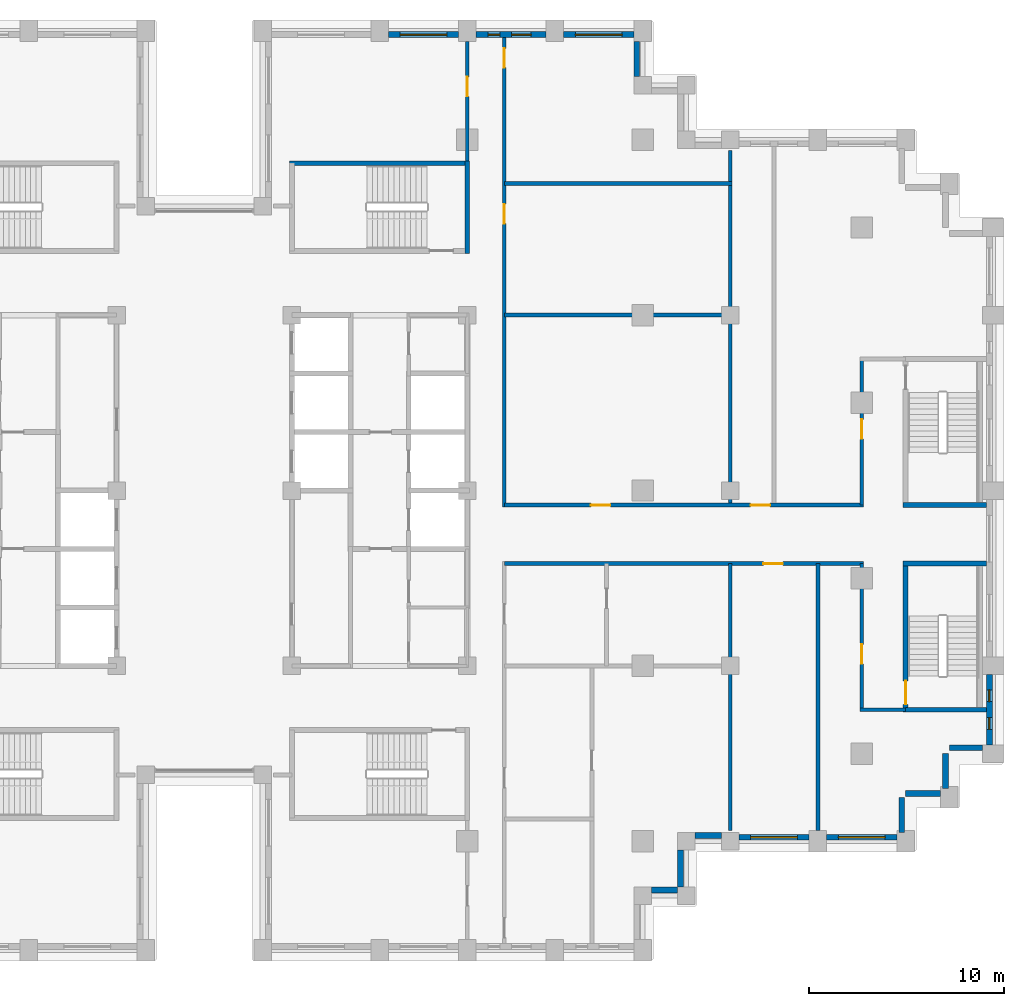
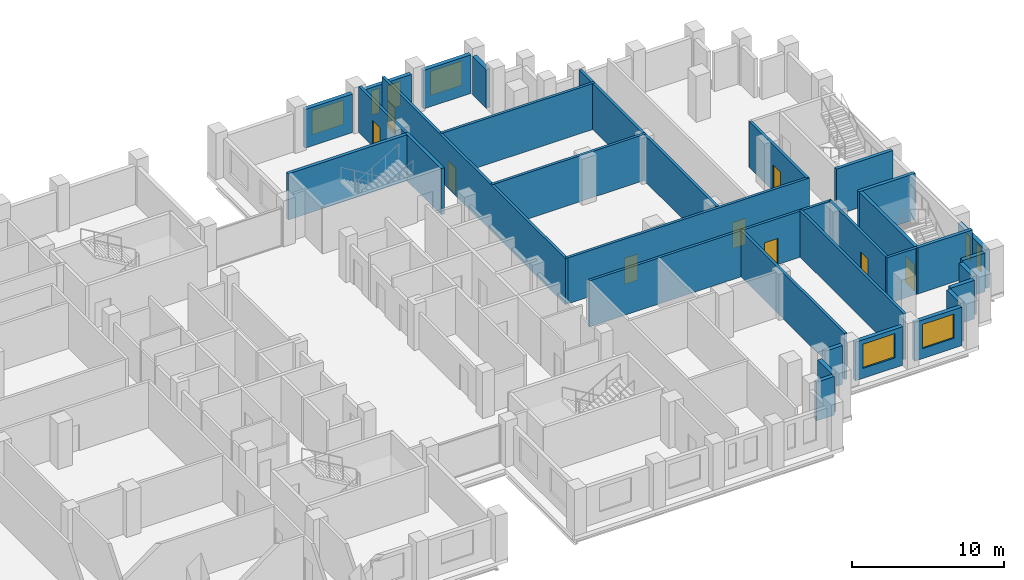
# One storey, part 11 of 15: 32 walls, 9 doors, 8 windows, 17 openings.
"""IFC4 building model written with IfcOpenShell, lengths in metres."""

from ifc_helpers import new_model, si_unit, direction, frame, frame_2d, origin, place, context, subcontext, project, spatial, rectangle, extrude, material, layer, layer_set, type_object, element, fill, save


model = new_model("IFC4")

# Units and contexts
model_context = context("Model", 3, precision=1e-05, world=origin(), true_north=direction((0.0, 1.0)))
body_context = subcontext(model_context, "Body", "Model", "MODEL_VIEW")
ifc_project = project(units=[si_unit("LENGTHUNIT", "METRE"), si_unit("AREAUNIT", "SQUARE_METRE"), si_unit("VOLUMEUNIT", "CUBIC_METRE"), si_unit("PLANEANGLEUNIT", "RADIAN"), si_unit("MASSUNIT", "GRAM", prefix="KILO")], contexts=[model_context])

# Site, building, storey
site_placement = place(None, origin())
site = spatial("IfcSite", under=ifc_project, at=site_placement, CompositionType="ELEMENT")
building_placement = place(site_placement, origin())
building = spatial("IfcBuilding", under=site, at=building_placement, Name="Corbelhall Arena Tower", CompositionType="ELEMENT")
storey_placement = place(building_placement, frame((0.0, 0.0, 142.0)))
storey = spatial("IfcBuildingStorey", under=building, at=storey_placement, Name="L27", CompositionType="ELEMENT", Elevation=142.0)

# Walls
ifc_material_1 = material(Name="Precast concrete C40/50 with granite facing", Category="masonry")
ifc_layer_1 = layer(ifc_material_1, 0.300048828125)
ifc_layer_set_1 = layer_set([ifc_layer_1], Name="EV-IW1 Infill panel 300")
wall_type_1 = type_object("IfcWallType", Name="EV-IW1 Infill panel 300", PredefinedType="SOLIDWALL", material=ifc_layer_set_1)
for number, where, z_axis, x_axis, name in (
    (1, (35.800048828125, -17.550048828125, 0.0), (0.0, 0.0, 1.0), (0.0, 1.0, 0.0), "Infill panel IW1"),
    (2, (37.800048828125, -15.550048828125, 0.0), (0.0, 0.0, 1.0), (-1.0, 0.0, 0.0), "Infill panel IW1"),
    (3, (38.050048828125, -15.300048828125, 0.0), (0.0, 0.0, 1.0), (0.0, 1.0, 0.0), "Infill panel IW1"),
):
    element("IfcWall", number, at=place(storey_placement, frame(where, z_axis=z_axis, x_axis=x_axis)), inside=storey, type_object=wall_type_1, Name=name, PredefinedType="SOLIDWALL", context=body_context, shape_type="SweptSolid", body=[
        extrude(rectangle(XDim=1.800048828125, YDim=0.300048828125, at=frame_2d((0.89990234375, 0.0))), origin(), (0.0, 0.0, 1.0), 3.10009765625),
    ])
wall_1_placement = place(storey_placement, frame((39.949951171875, -13.199951171875, 0.0), z_axis=(0.0, 0.0, 1.0), x_axis=(-1.0, 0.0, 0.0)))
element("IfcWall", 4, at=wall_1_placement, inside=storey, type_object=wall_type_1, Name="Infill panel IW1", PredefinedType="SOLIDWALL", context=body_context, shape_type="SweptSolid", body=[
    extrude(rectangle(XDim=1.699951171875, YDim=0.300048828125, at=frame_2d((0.85009765625, 0.0))), origin(), (0.0, 0.0, 1.0), 3.10009765625),
])
wall_2_placement = place(storey_placement, frame((22.949951171875, -20.5, 0.0), z_axis=(0.0, 0.0, 1.0), x_axis=(1.0, 0.0, 0.0)))
element("IfcWall", 5, at=wall_2_placement, inside=storey, type_object=wall_type_1, Name="Infill panel IW1", PredefinedType="SOLIDWALL", context=body_context, shape_type="SweptSolid", body=[
    extrude(rectangle(XDim=1.35009765625, YDim=0.300048828125, at=frame_2d((0.675048828125, 0.0))), origin(), (0.0, 0.0, 1.0), 3.10009765625),
])
wall_3_placement = place(storey_placement, frame((24.449951171875, -20.35009765625, 0.0), z_axis=(0.0, 0.0, 1.0), x_axis=(0.0, 1.0, 0.0)))
element("IfcWall", 6, at=wall_3_placement, inside=storey, type_object=wall_type_1, Name="Infill panel IW1", PredefinedType="SOLIDWALL", context=body_context, shape_type="SweptSolid", body=[
    extrude(rectangle(XDim=1.900146484375, YDim=0.300048828125, at=frame_2d((0.9501953125, 0.0))), origin(), (0.0, 0.0, 1.0), 3.10009765625),
])
wall_4_placement = place(storey_placement, frame((25.199951171875, -17.699951171875, 0.0), z_axis=(0.0, 0.0, 1.0), x_axis=(1.0, 0.0, 0.0)))
element("IfcWall", 7, at=wall_4_placement, inside=storey, type_object=wall_type_1, Name="Infill panel IW1", PredefinedType="SOLIDWALL", context=body_context, shape_type="SweptSolid", body=[
    extrude(rectangle(XDim=1.35009765625, YDim=0.300048828125, at=frame_2d((0.675048828125, 0.0))), origin(), (0.0, 0.0, 1.0), 3.10009765625),
])

# Wall, opening, window
wall_5_placement = place(storey_placement, frame((27.449951171875, -17.800048828125, 0.0), z_axis=(0.0, 0.0, 1.0), x_axis=(1.0, 0.0, 0.0)))
wall_5 = element("IfcWall", 8, at=wall_5_placement, inside=storey, type_object=wall_type_1, Name="Infill panel IW1", PredefinedType="SOLIDWALL", context=body_context, shape_type="SweptSolid", body=[
    extrude(rectangle(XDim=3.60009765625, YDim=0.300048828125, at=frame_2d((1.800048828125, 0.0))), origin(), (0.0, 0.0, 1.0), 3.10009765625),
])
opening_1_placement = place(wall_5_placement, frame((0.60009765625, 0.0, 0.800048828125)))
opening_1 = element("IfcOpeningElement", 9, at=opening_1_placement, cuts=wall_5, Name="Opening WN1", PredefinedType="OPENING", context=body_context, shape_type="SweptSolid", body=[
    extrude(rectangle(XDim=2.39990234375, YDim=1.949951171875, at=frame_2d((1.199951171875, 0.97509765625))), frame((0.0, 0.14990234375, 0.0), z_axis=(0.0, -1.0, 0.0), x_axis=(1.0, 0.0, 0.0)), (0.0, 0.0, 1.0), 0.300048828125),
])
ifc_material_2 = material(Name="Aluminium black anodised", Category="aluminium")
window_type_1 = type_object("IfcWindowType", Name="EV-WN1 Office window", PartitioningType="SINGLE_PANEL", PredefinedType="WINDOW", material=ifc_material_2)
window_1_placement = place(opening_1_placement, origin())
window_1 = element("IfcWindow", 10, at=window_1_placement, inside=storey, type_object=window_type_1, Name="Window WN1", OverallHeight=1.949951171875, OverallWidth=2.39990234375, PartitioningType="SINGLE_PANEL", PredefinedType="WINDOW", context=body_context, shape_type="SweptSolid", body=[
    extrude(rectangle(XDim=2.39990234375, YDim=1.949951171875, at=frame_2d((1.199951171875, 0.97509765625))), frame((0.0, 0.030029296875, 0.0), z_axis=(0.0, -1.0, 0.0), x_axis=(1.0, 0.0, 0.0)), (0.0, 0.0, 1.0), 0.06005859375),
])
fill(opening_1, window_1)

wall_6_placement = place(storey_placement, frame((31.949951171875, -17.800048828125, 0.0), z_axis=(0.0, 0.0, 1.0), x_axis=(1.0, 0.0, 0.0)))
wall_6 = element("IfcWall", 11, at=wall_6_placement, inside=storey, type_object=wall_type_1, Name="Infill panel IW1", PredefinedType="SOLIDWALL", context=body_context, shape_type="SweptSolid", body=[
    extrude(rectangle(XDim=3.60009765625, YDim=0.300048828125, at=frame_2d((1.800048828125, 0.0))), origin(), (0.0, 0.0, 1.0), 3.10009765625),
])
opening_2_placement = place(wall_6_placement, frame((0.60009765625, 0.0, 0.800048828125)))
opening_2 = element("IfcOpeningElement", 12, at=opening_2_placement, cuts=wall_6, Name="Opening WN1", PredefinedType="OPENING", context=body_context, shape_type="SweptSolid", body=[
    extrude(rectangle(XDim=2.39990234375, YDim=1.949951171875, at=frame_2d((1.199951171875, 0.97509765625))), frame((0.0, 0.14990234375, 0.0), z_axis=(0.0, -1.0, 0.0), x_axis=(1.0, 0.0, 0.0)), (0.0, 0.0, 1.0), 0.300048828125),
])
window_2_placement = place(opening_2_placement, origin())
window_2 = element("IfcWindow", 13, at=window_2_placement, inside=storey, type_object=window_type_1, Name="Window WN1", OverallHeight=1.949951171875, OverallWidth=2.39990234375, PartitioningType="SINGLE_PANEL", PredefinedType="WINDOW", context=body_context, shape_type="SweptSolid", body=[
    extrude(rectangle(XDim=2.39990234375, YDim=1.949951171875, at=frame_2d((1.199951171875, 0.97509765625))), frame((0.0, 0.030029296875, 0.0), z_axis=(0.0, -1.0, 0.0), x_axis=(1.0, 0.0, 0.0)), (0.0, 0.0, 1.0), 0.06005859375),
])
fill(opening_2, window_2)

# Wall, openings, windows
wall_7_placement = place(storey_placement, frame((40.300048828125, -13.050048828125, 0.0), z_axis=(0.0, 0.0, 1.0), x_axis=(0.0, 1.0, 0.0)))
wall_7 = element("IfcWall", 14, at=wall_7_placement, inside=storey, type_object=wall_type_1, Name="Infill panel IW1", PredefinedType="SOLIDWALL", context=body_context, shape_type="SweptSolid", body=[
    extrude(rectangle(XDim=3.60009765625, YDim=0.300048828125, at=frame_2d((1.800048828125, 0.0))), origin(), (0.0, 0.0, 1.0), 3.10009765625),
])
opening_3_placement = place(wall_7_placement, frame((0.78759765625, 0.0, 0.800048828125)))
opening_3 = element("IfcOpeningElement", 15, at=opening_3_placement, cuts=wall_7, Name="Opening WN5", PredefinedType="OPENING", context=body_context, shape_type="SweptSolid", body=[
    extrude(rectangle(XDim=0.60009765625, YDim=1.949951171875, at=frame_2d((0.300048828125, 0.97509765625))), frame((0.0, 0.14990234375, 0.0), z_axis=(0.0, -1.0, 0.0), x_axis=(1.0, 0.0, 0.0)), (0.0, 0.0, 1.0), 0.300048828125),
])
opening_4_placement = place(wall_7_placement, frame((2.21240234375, 0.0, 0.800048828125)))
opening_4 = element("IfcOpeningElement", 16, at=opening_4_placement, cuts=wall_7, Name="Opening WN5", PredefinedType="OPENING", context=body_context, shape_type="SweptSolid", body=[
    extrude(rectangle(XDim=0.60009765625, YDim=1.949951171875, at=frame_2d((0.300048828125, 0.97509765625))), frame((0.0, 0.14990234375, 0.0), z_axis=(0.0, -1.0, 0.0), x_axis=(1.0, 0.0, 0.0)), (0.0, 0.0, 1.0), 0.300048828125),
])
window_type_2 = type_object("IfcWindowType", Name="EV-WN5 Office window 600", PartitioningType="SINGLE_PANEL", PredefinedType="WINDOW", material=ifc_material_2)
window_3_placement = place(opening_3_placement, origin())
window_3 = element("IfcWindow", 17, at=window_3_placement, inside=storey, type_object=window_type_2, Name="Window WN5", OverallHeight=1.949951171875, OverallWidth=0.60009765625, PartitioningType="SINGLE_PANEL", PredefinedType="WINDOW", context=body_context, shape_type="SweptSolid", body=[
    extrude(rectangle(XDim=0.60009765625, YDim=1.949951171875, at=frame_2d((0.300048828125, 0.97509765625))), frame((0.0, 0.030029296875, 0.0), z_axis=(0.0, -1.0, 0.0), x_axis=(1.0, 0.0, 0.0)), (0.0, 0.0, 1.0), 0.06005859375),
])
fill(opening_3, window_3)
window_4_placement = place(opening_4_placement, origin())
window_4 = element("IfcWindow", 18, at=window_4_placement, inside=storey, type_object=window_type_2, Name="Window WN5", OverallHeight=1.949951171875, OverallWidth=0.60009765625, PartitioningType="SINGLE_PANEL", PredefinedType="WINDOW", context=body_context, shape_type="SweptSolid", body=[
    extrude(rectangle(XDim=0.60009765625, YDim=1.949951171875, at=frame_2d((0.300048828125, 0.97509765625))), frame((0.0, 0.030029296875, 0.0), z_axis=(0.0, -1.0, 0.0), x_axis=(1.0, 0.0, 0.0)), (0.0, 0.0, 1.0), 0.06005859375),
])
fill(opening_4, window_4)

# Wall
wall_8_placement = place(storey_placement, frame((22.199951171875, 21.25, 0.0), z_axis=(0.0, 0.0, 1.0), x_axis=(0.0, 1.0, 0.0)))
element("IfcWall", 19, at=wall_8_placement, inside=storey, type_object=wall_type_1, Name="Infill panel IW1", PredefinedType="SOLIDWALL", context=body_context, shape_type="SweptSolid", body=[
    extrude(rectangle(XDim=1.800048828125, YDim=0.300048828125, at=frame_2d((0.89990234375, 0.0))), origin(), (0.0, 0.0, 1.0), 3.10009765625),
])

# Wall, opening, window
wall_9_placement = place(storey_placement, frame((22.050048828125, 23.39990234375, 0.0), z_axis=(0.0, 0.0, 1.0), x_axis=(-1.0, 0.0, 0.0)))
wall_9 = element("IfcWall", 20, at=wall_9_placement, inside=storey, type_object=wall_type_1, Name="Infill panel IW1", PredefinedType="SOLIDWALL", context=body_context, shape_type="SweptSolid", body=[
    extrude(rectangle(XDim=3.60009765625, YDim=0.300048828125, at=frame_2d((1.800048828125, 0.0))), origin(), (0.0, 0.0, 1.0), 3.10009765625),
])
opening_5_placement = place(wall_9_placement, frame((0.60009765625, 0.0, 0.800048828125)))
opening_5 = element("IfcOpeningElement", 21, at=opening_5_placement, cuts=wall_9, Name="Opening WN1", PredefinedType="OPENING", context=body_context, shape_type="SweptSolid", body=[
    extrude(rectangle(XDim=2.39990234375, YDim=1.949951171875, at=frame_2d((1.199951171875, 0.97509765625))), frame((0.0, 0.14990234375, 0.0), z_axis=(0.0, -1.0, 0.0), x_axis=(1.0, 0.0, 0.0)), (0.0, 0.0, 1.0), 0.300048828125),
])
window_5_placement = place(opening_5_placement, origin())
window_5 = element("IfcWindow", 22, at=window_5_placement, inside=storey, type_object=window_type_1, Name="Window WN1", OverallHeight=1.949951171875, OverallWidth=2.39990234375, PartitioningType="SINGLE_PANEL", PredefinedType="WINDOW", context=body_context, shape_type="SweptSolid", body=[
    extrude(rectangle(XDim=2.39990234375, YDim=1.949951171875, at=frame_2d((1.199951171875, 0.97509765625))), frame((0.0, 0.030029296875, 0.0), z_axis=(0.0, -1.0, 0.0), x_axis=(1.0, 0.0, 0.0)), (0.0, 0.0, 1.0), 0.06005859375),
])
fill(opening_5, window_5)

# Wall, openings, windows
wall_10_placement = place(storey_placement, frame((17.550048828125, 23.39990234375, 0.0), z_axis=(0.0, 0.0, 1.0), x_axis=(-1.0, 0.0, 0.0)))
wall_10 = element("IfcWall", 23, at=wall_10_placement, inside=storey, type_object=wall_type_1, Name="Infill panel IW1", PredefinedType="SOLIDWALL", context=body_context, shape_type="SweptSolid", body=[
    extrude(rectangle(XDim=3.60009765625, YDim=0.300048828125, at=frame_2d((1.800048828125, 0.0))), origin(), (0.0, 0.0, 1.0), 3.10009765625),
])
opening_6_placement = place(wall_10_placement, frame((0.77490234375, 0.0, 0.800048828125)))
opening_6 = element("IfcOpeningElement", 24, at=opening_6_placement, cuts=wall_10, Name="Opening WN6", PredefinedType="OPENING", context=body_context, shape_type="SweptSolid", body=[
    extrude(rectangle(XDim=1.0, YDim=1.949951171875, at=frame_2d((0.5, 0.97509765625))), frame((0.0, 0.14990234375, 0.0), z_axis=(0.0, -1.0, 0.0), x_axis=(1.0, 0.0, 0.0)), (0.0, 0.0, 1.0), 0.300048828125),
])
opening_7_placement = place(wall_10_placement, frame((2.375, 0.0, 0.800048828125)))
opening_7 = element("IfcOpeningElement", 25, at=opening_7_placement, cuts=wall_10, Name="Opening WN5", PredefinedType="OPENING", context=body_context, shape_type="SweptSolid", body=[
    extrude(rectangle(XDim=0.60009765625, YDim=1.949951171875, at=frame_2d((0.300048828125, 0.97509765625))), frame((0.0, 0.14990234375, 0.0), z_axis=(0.0, -1.0, 0.0), x_axis=(1.0, 0.0, 0.0)), (0.0, 0.0, 1.0), 0.300048828125),
])
window_6_placement = place(opening_7_placement, origin())
window_6 = element("IfcWindow", 26, at=window_6_placement, inside=storey, type_object=window_type_2, Name="Window WN5", OverallHeight=1.949951171875, OverallWidth=0.60009765625, PartitioningType="SINGLE_PANEL", PredefinedType="WINDOW", context=body_context, shape_type="SweptSolid", body=[
    extrude(rectangle(XDim=0.60009765625, YDim=1.949951171875, at=frame_2d((0.300048828125, 0.97509765625))), frame((0.0, 0.030029296875, 0.0), z_axis=(0.0, -1.0, 0.0), x_axis=(1.0, 0.0, 0.0)), (0.0, 0.0, 1.0), 0.06005859375),
])
fill(opening_7, window_6)
window_type_3 = type_object("IfcWindowType", Name="EV-WN6 Office window 1000", PartitioningType="SINGLE_PANEL", PredefinedType="WINDOW", material=ifc_material_2)
window_7_placement = place(opening_6_placement, origin())
window_7 = element("IfcWindow", 27, at=window_7_placement, inside=storey, type_object=window_type_3, Name="Window WN6", OverallHeight=1.949951171875, OverallWidth=1.0, PartitioningType="SINGLE_PANEL", PredefinedType="WINDOW", context=body_context, shape_type="SweptSolid", body=[
    extrude(rectangle(XDim=1.0, YDim=1.949951171875, at=frame_2d((0.5, 0.97509765625))), frame((0.0, 0.030029296875, 0.0), z_axis=(0.0, -1.0, 0.0), x_axis=(1.0, 0.0, 0.0)), (0.0, 0.0, 1.0), 0.06005859375),
])
fill(opening_6, window_7)

# Wall, opening, window
wall_11_placement = place(storey_placement, frame((13.050048828125, 23.39990234375, 0.0), z_axis=(0.0, 0.0, 1.0), x_axis=(-1.0, 0.0, 0.0)))
wall_11 = element("IfcWall", 28, at=wall_11_placement, inside=storey, type_object=wall_type_1, Name="Infill panel IW1", PredefinedType="SOLIDWALL", context=body_context, shape_type="SweptSolid", body=[
    extrude(rectangle(XDim=3.60009765625, YDim=0.300048828125, at=frame_2d((1.800048828125, 0.0))), origin(), (0.0, 0.0, 1.0), 3.10009765625),
])
opening_8_placement = place(wall_11_placement, frame((0.60009765625, 0.0, 0.800048828125)))
opening_8 = element("IfcOpeningElement", 29, at=opening_8_placement, cuts=wall_11, Name="Opening WN1", PredefinedType="OPENING", context=body_context, shape_type="SweptSolid", body=[
    extrude(rectangle(XDim=2.39990234375, YDim=1.949951171875, at=frame_2d((1.199951171875, 0.97509765625))), frame((0.0, 0.14990234375, 0.0), z_axis=(0.0, -1.0, 0.0), x_axis=(1.0, 0.0, 0.0)), (0.0, 0.0, 1.0), 0.300048828125),
])
window_8_placement = place(opening_8_placement, origin())
window_8 = element("IfcWindow", 30, at=window_8_placement, inside=storey, type_object=window_type_1, Name="Window WN1", OverallHeight=1.949951171875, OverallWidth=2.39990234375, PartitioningType="SINGLE_PANEL", PredefinedType="WINDOW", context=body_context, shape_type="SweptSolid", body=[
    extrude(rectangle(XDim=2.39990234375, YDim=1.949951171875, at=frame_2d((1.199951171875, 0.97509765625))), frame((0.0, 0.030029296875, 0.0), z_axis=(0.0, -1.0, 0.0), x_axis=(1.0, 0.0, 0.0)), (0.0, 0.0, 1.0), 0.06005859375),
])
fill(opening_8, window_8)

# Wall, opening, door
ifc_material_3 = material(Name="Gypsum board on steel stud, acoustic", Category="steel")
ifc_layer_2 = layer(ifc_material_3, 0.199951171875)
ifc_layer_set_2 = layer_set([ifc_layer_2], Name="IN-W-DM200")
wall_type_2 = type_object("IfcWallType", Name="IN-W-DM200", PredefinedType="PARTITIONING", material=ifc_layer_set_2)
wall_12_placement = place(storey_placement, frame((13.5, 16.675048828125, 0.0), z_axis=(0.0, 0.0, 1.0), x_axis=(0.0, 1.0, 0.0)))
wall_12 = element("IfcWall", 31, at=wall_12_placement, inside=storey, type_object=wall_type_2, Name="Partition 027", PredefinedType="PARTITIONING", context=body_context, shape_type="SweptSolid", body=[
    extrude(rectangle(XDim=6.375, YDim=0.199951171875, at=frame_2d((3.1875, 0.0))), origin(), (0.0, 0.0, 1.0), 3.699951171875),
])
opening_9_placement = place(wall_12_placement, frame((3.550048828125, 0.0, 0.0)))
opening_9 = element("IfcOpeningElement", 32, at=opening_9_placement, cuts=wall_12, Name="Opening 07023", PredefinedType="OPENING", context=body_context, shape_type="SweptSolid", body=[
    extrude(rectangle(XDim=1.0, YDim=2.10009765625, at=frame_2d((0.5, 1.050048828125))), frame((0.0, 0.10009765625, 0.0), z_axis=(0.0, -1.0, 0.0), x_axis=(1.0, 0.0, 0.0)), (0.0, 0.0, 1.0), 0.199951171875),
])
ifc_material_4 = material(Name="Steel door set", Category="steel")
door_type_1 = type_object("IfcDoorType", Name="IN-D-SW100", OperationType="NOTDEFINED", PredefinedType="DOOR", material=ifc_material_4)
door_1_placement = place(opening_9_placement, origin())
door_1 = element("IfcDoor", 33, at=door_1_placement, inside=storey, type_object=door_type_1, Name="Door 023", OperationType="SINGLE_SWING_RIGHT", OverallHeight=2.10009765625, OverallWidth=1.0, PredefinedType="DOOR", context=body_context, shape_type="SweptSolid", body=[
    extrude(rectangle(XDim=1.0, YDim=2.10009765625, at=frame_2d((0.5, 1.050048828125))), frame((0.0, 0.02490234375, 0.0), z_axis=(0.0, -1.0, 0.0), x_axis=(1.0, 0.0, 0.0)), (0.0, 0.0, 1.0), 0.050048828125),
])
fill(opening_9, door_1)

# Wall, openings, doors
wall_13_placement = place(storey_placement, frame((15.39990234375, -0.75, 0.0), z_axis=(0.0, 0.0, 1.0), x_axis=(1.0, 0.0, 0.0)))
wall_13 = element("IfcWall", 34, at=wall_13_placement, inside=storey, type_object=wall_type_2, Name="Partition 031", PredefinedType="PARTITIONING", context=body_context, shape_type="SweptSolid", body=[
    extrude(rectangle(XDim=18.4501953125, YDim=0.199951171875, at=frame_2d((9.22509765625, 0.0))), origin(), (0.0, 0.0, 1.0), 3.699951171875),
])
opening_10_placement = place(wall_13_placement, frame((4.449951171875, 0.0, 0.0)))
opening_10 = element("IfcOpeningElement", 35, at=opening_10_placement, cuts=wall_13, Name="Opening 07032", PredefinedType="OPENING", context=body_context, shape_type="SweptSolid", body=[
    extrude(rectangle(XDim=1.0, YDim=2.10009765625, at=frame_2d((0.5, 1.050048828125))), frame((0.0, 0.10009765625, 0.0), z_axis=(0.0, -1.0, 0.0), x_axis=(1.0, 0.0, 0.0)), (0.0, 0.0, 1.0), 0.199951171875),
])
opening_11_placement = place(wall_13_placement, frame((12.64990234375, 0.0, 0.0)))
opening_11 = element("IfcOpeningElement", 36, at=opening_11_placement, cuts=wall_13, Name="Opening 07043", PredefinedType="OPENING", context=body_context, shape_type="SweptSolid", body=[
    extrude(rectangle(XDim=1.0, YDim=2.10009765625, at=frame_2d((0.5, 1.050048828125))), frame((0.0, 0.10009765625, 0.0), z_axis=(0.0, -1.0, 0.0), x_axis=(1.0, 0.0, 0.0)), (0.0, 0.0, 1.0), 0.199951171875),
])
door_2_placement = place(opening_10_placement, origin())
door_2 = element("IfcDoor", 37, at=door_2_placement, inside=storey, type_object=door_type_1, Name="Door 032", OperationType="SINGLE_SWING_LEFT", OverallHeight=2.10009765625, OverallWidth=1.0, PredefinedType="DOOR", context=body_context, shape_type="SweptSolid", body=[
    extrude(rectangle(XDim=1.0, YDim=2.10009765625, at=frame_2d((0.5, 1.050048828125))), frame((0.0, 0.02490234375, 0.0), z_axis=(0.0, -1.0, 0.0), x_axis=(1.0, 0.0, 0.0)), (0.0, 0.0, 1.0), 0.050048828125),
])
fill(opening_10, door_2)
door_3_placement = place(opening_11_placement, origin())
door_3 = element("IfcDoor", 38, at=door_3_placement, inside=storey, type_object=door_type_1, Name="Door 043", OperationType="SINGLE_SWING_RIGHT", OverallHeight=2.10009765625, OverallWidth=1.0, PredefinedType="DOOR", context=body_context, shape_type="SweptSolid", body=[
    extrude(rectangle(XDim=1.0, YDim=2.10009765625, at=frame_2d((0.5, 1.050048828125))), frame((0.0, 0.02490234375, 0.0), z_axis=(0.0, -1.0, 0.0), x_axis=(1.0, 0.0, 0.0)), (0.0, 0.0, 1.0), 0.050048828125),
])
fill(opening_11, door_3)

# Wall
wall_14_placement = place(storey_placement, frame((15.39990234375, 9.0, 0.0), z_axis=(0.0, 0.0, 1.0), x_axis=(1.0, 0.0, 0.0)))
element("IfcWall", 39, at=wall_14_placement, inside=storey, type_object=wall_type_2, Name="Partition 032", PredefinedType="PARTITIONING", context=body_context, shape_type="SweptSolid", body=[
    extrude(rectangle(XDim=11.7001953125, YDim=0.199951171875, at=frame_2d((5.85009765625, 0.0))), origin(), (0.0, 0.0, 1.0), 3.699951171875),
])

# Wall, openings, doors
wall_15_placement = place(storey_placement, frame((15.39990234375, 23.25, 0.0), z_axis=(0.0, 0.0, 1.0), x_axis=(0.0, -1.0, 0.0)))
wall_15 = element("IfcWall", 40, at=wall_15_placement, inside=storey, type_object=wall_type_2, Name="Partition 033", PredefinedType="PARTITIONING", context=body_context, shape_type="SweptSolid", body=[
    extrude(rectangle(XDim=24.10009765625, YDim=0.199951171875, at=frame_2d((12.050048828125, 0.0))), origin(), (0.0, 0.0, 1.0), 3.699951171875),
])
opening_12_placement = place(wall_15_placement, frame((8.550048828125, 0.0, 0.0)))
opening_12 = element("IfcOpeningElement", 41, at=opening_12_placement, cuts=wall_15, Name="Opening 07033", PredefinedType="OPENING", context=body_context, shape_type="SweptSolid", body=[
    extrude(rectangle(XDim=1.0, YDim=2.10009765625, at=frame_2d((0.5, 1.050048828125))), frame((0.0, 0.10009765625, 0.0), z_axis=(0.0, -1.0, 0.0), x_axis=(1.0, 0.0, 0.0)), (0.0, 0.0, 1.0), 0.199951171875),
])
opening_13_placement = place(wall_15_placement, frame((0.550048828125, 0.0, 0.0)))
opening_13 = element("IfcOpeningElement", 42, at=opening_13_placement, cuts=wall_15, Name="Opening 07034", PredefinedType="OPENING", context=body_context, shape_type="SweptSolid", body=[
    extrude(rectangle(XDim=1.0, YDim=2.10009765625, at=frame_2d((0.5, 1.050048828125))), frame((0.0, 0.10009765625, 0.0), z_axis=(0.0, -1.0, 0.0), x_axis=(1.0, 0.0, 0.0)), (0.0, 0.0, 1.0), 0.199951171875),
])
door_4_placement = place(opening_12_placement, origin())
door_4 = element("IfcDoor", 43, at=door_4_placement, inside=storey, type_object=door_type_1, Name="Door 033", OperationType="SINGLE_SWING_RIGHT", OverallHeight=2.10009765625, OverallWidth=1.0, PredefinedType="DOOR", context=body_context, shape_type="SweptSolid", body=[
    extrude(rectangle(XDim=1.0, YDim=2.10009765625, at=frame_2d((0.5, 1.050048828125))), frame((0.0, 0.02490234375, 0.0), z_axis=(0.0, -1.0, 0.0), x_axis=(1.0, 0.0, 0.0)), (0.0, 0.0, 1.0), 0.050048828125),
])
fill(opening_12, door_4)
door_5_placement = place(opening_13_placement, origin())
door_5 = element("IfcDoor", 44, at=door_5_placement, inside=storey, type_object=door_type_1, Name="Door 034", OperationType="SINGLE_SWING_LEFT", OverallHeight=2.10009765625, OverallWidth=1.0, PredefinedType="DOOR", context=body_context, shape_type="SweptSolid", body=[
    extrude(rectangle(XDim=1.0, YDim=2.10009765625, at=frame_2d((0.5, 1.050048828125))), frame((0.0, 0.02490234375, 0.0), z_axis=(0.0, -1.0, 0.0), x_axis=(1.0, 0.0, 0.0)), (0.0, 0.0, 1.0), 0.050048828125),
])
fill(opening_13, door_5)

# Wall
wall_16_placement = place(storey_placement, frame((15.39990234375, 15.75, 0.0), z_axis=(0.0, 0.0, 1.0), x_axis=(1.0, 0.0, 0.0)))
element("IfcWall", 45, at=wall_16_placement, inside=storey, type_object=wall_type_2, Name="Partition 034", PredefinedType="PARTITIONING", context=body_context, shape_type="SweptSolid", body=[
    extrude(rectangle(XDim=11.7001953125, YDim=0.199951171875, at=frame_2d((5.85009765625, 0.0))), origin(), (0.0, 0.0, 1.0), 3.699951171875),
])

# Wall, opening, door
wall_17_placement = place(storey_placement, frame((33.85009765625, -3.75, 0.0), z_axis=(0.0, 0.0, 1.0), x_axis=(-1.0, 0.0, 0.0)))
wall_17 = element("IfcWall", 46, at=wall_17_placement, inside=storey, type_object=wall_type_2, Name="Partition 037", PredefinedType="PARTITIONING", context=body_context, shape_type="SweptSolid", body=[
    extrude(rectangle(XDim=18.4501953125, YDim=0.199951171875, at=frame_2d((9.22509765625, 0.0))), origin(), (0.0, 0.0, 1.0), 3.699951171875),
])
opening_14_placement = place(wall_17_placement, frame((4.14990234375, 0.0, 0.0)))
opening_14 = element("IfcOpeningElement", 47, at=opening_14_placement, cuts=wall_17, Name="Opening 07045", PredefinedType="OPENING", context=body_context, shape_type="SweptSolid", body=[
    extrude(rectangle(XDim=1.0, YDim=2.10009765625, at=frame_2d((0.5, 1.050048828125))), frame((0.0, 0.10009765625, 0.0), z_axis=(0.0, -1.0, 0.0), x_axis=(1.0, 0.0, 0.0)), (0.0, 0.0, 1.0), 0.199951171875),
])
door_6_placement = place(opening_14_placement, origin())
door_6 = element("IfcDoor", 48, at=door_6_placement, inside=storey, type_object=door_type_1, Name="Door 045", OperationType="SINGLE_SWING_RIGHT", OverallHeight=2.10009765625, OverallWidth=1.0, PredefinedType="DOOR", context=body_context, shape_type="SweptSolid", body=[
    extrude(rectangle(XDim=1.0, YDim=2.10009765625, at=frame_2d((0.5, 1.050048828125))), frame((0.0, 0.02490234375, 0.0), z_axis=(0.0, -1.0, 0.0), x_axis=(1.0, 0.0, 0.0)), (0.0, 0.0, 1.0), 0.050048828125),
])
fill(opening_14, door_6)

# Walls
wall_18_placement = place(storey_placement, frame((27.0, -3.75, 0.0), z_axis=(0.0, 0.0, 1.0), x_axis=(0.0, -1.0, 0.0)))
element("IfcWall", 49, at=wall_18_placement, inside=storey, type_object=wall_type_2, Name="Partition 038", PredefinedType="PARTITIONING", context=body_context, shape_type="SweptSolid", body=[
    extrude(rectangle(XDim=13.699951171875, YDim=0.199951171875, at=frame_2d((6.85009765625, 0.0))), origin(), (0.0, 0.0, 1.0), 3.699951171875),
])
wall_19_placement = place(storey_placement, frame((27.0, 17.449951171875, 0.0), z_axis=(0.0, 0.0, 1.0), x_axis=(0.0, -1.0, 0.0)))
element("IfcWall", 50, at=wall_19_placement, inside=storey, type_object=wall_type_2, Name="Partition 039", PredefinedType="PARTITIONING", context=body_context, shape_type="SweptSolid", body=[
    extrude(rectangle(XDim=18.199951171875, YDim=0.199951171875, at=frame_2d((9.10009765625, 0.0))), origin(), (0.0, 0.0, 1.0), 3.699951171875),
])
wall_20_placement = place(storey_placement, frame((31.5, -3.75, 0.0), z_axis=(0.0, 0.0, 1.0), x_axis=(0.0, -1.0, 0.0)))
element("IfcWall", 51, at=wall_20_placement, inside=storey, type_object=wall_type_2, Name="Partition 041", PredefinedType="PARTITIONING", context=body_context, shape_type="SweptSolid", body=[
    extrude(rectangle(XDim=13.699951171875, YDim=0.199951171875, at=frame_2d((6.85009765625, 0.0))), origin(), (0.0, 0.0, 1.0), 3.699951171875),
])

# Wall, opening, door
wall_21_placement = place(storey_placement, frame((33.75, -11.25, 0.0), z_axis=(0.0, 0.0, 1.0), x_axis=(0.0, 1.0, 0.0)))
wall_21 = element("IfcWall", 52, at=wall_21_placement, inside=storey, type_object=wall_type_2, Name="Partition 043", PredefinedType="PARTITIONING", context=body_context, shape_type="SweptSolid", body=[
    extrude(rectangle(XDim=7.5, YDim=0.199951171875, at=frame_2d((3.75, 0.0))), origin(), (0.0, 0.0, 1.0), 3.699951171875),
])
opening_15_placement = place(wall_21_placement, frame((2.35009765625, 0.0, 0.0)))
opening_15 = element("IfcOpeningElement", 53, at=opening_15_placement, cuts=wall_21, Name="Opening 07046", PredefinedType="OPENING", context=body_context, shape_type="SweptSolid", body=[
    extrude(rectangle(XDim=1.0, YDim=2.10009765625, at=frame_2d((0.5, 1.050048828125))), frame((0.0, 0.10009765625, 0.0), z_axis=(0.0, -1.0, 0.0), x_axis=(1.0, 0.0, 0.0)), (0.0, 0.0, 1.0), 0.199951171875),
])
door_7_placement = place(opening_15_placement, origin())
door_7 = element("IfcDoor", 54, at=door_7_placement, inside=storey, type_object=door_type_1, Name="Door 046", OperationType="SINGLE_SWING_LEFT", OverallHeight=2.10009765625, OverallWidth=1.0, PredefinedType="DOOR", context=body_context, shape_type="SweptSolid", body=[
    extrude(rectangle(XDim=1.0, YDim=2.10009765625, at=frame_2d((0.5, 1.050048828125))), frame((0.0, 0.02490234375, 0.0), z_axis=(0.0, -1.0, 0.0), x_axis=(1.0, 0.0, 0.0)), (0.0, 0.0, 1.0), 0.050048828125),
])
fill(opening_15, door_7)

wall_22_placement = place(storey_placement, frame((33.75, -0.75, 0.0), z_axis=(0.0, 0.0, 1.0), x_axis=(0.0, 1.0, 0.0)))
wall_22 = element("IfcWall", 55, at=wall_22_placement, inside=storey, type_object=wall_type_2, Name="Partition 044", PredefinedType="PARTITIONING", context=body_context, shape_type="SweptSolid", body=[
    extrude(rectangle(XDim=7.5, YDim=0.199951171875, at=frame_2d((3.75, 0.0))), origin(), (0.0, 0.0, 1.0), 3.699951171875),
])
opening_16_placement = place(wall_22_placement, frame((3.39990234375, 0.0, 0.0)))
opening_16 = element("IfcOpeningElement", 56, at=opening_16_placement, cuts=wall_22, Name="Opening 07044", PredefinedType="OPENING", context=body_context, shape_type="SweptSolid", body=[
    extrude(rectangle(XDim=1.0, YDim=2.10009765625, at=frame_2d((0.5, 1.050048828125))), frame((0.0, 0.10009765625, 0.0), z_axis=(0.0, -1.0, 0.0), x_axis=(1.0, 0.0, 0.0)), (0.0, 0.0, 1.0), 0.199951171875),
])
door_8_placement = place(opening_16_placement, origin())
door_8 = element("IfcDoor", 57, at=door_8_placement, inside=storey, type_object=door_type_1, Name="Door 044", OperationType="SINGLE_SWING_LEFT", OverallHeight=2.10009765625, OverallWidth=1.0, PredefinedType="DOOR", context=body_context, shape_type="SweptSolid", body=[
    extrude(rectangle(XDim=1.0, YDim=2.10009765625, at=frame_2d((0.5, 1.050048828125))), frame((0.0, 0.02490234375, 0.0), z_axis=(0.0, -1.0, 0.0), x_axis=(1.0, 0.0, 0.0)), (0.0, 0.0, 1.0), 0.050048828125),
])
fill(opening_16, door_8)

# Walls
wall_23_placement = place(storey_placement, frame((36.0, -11.25, 0.0), z_axis=(0.0, 0.0, 1.0), x_axis=(-1.0, 0.0, 0.0)))
element("IfcWall", 58, at=wall_23_placement, inside=storey, type_object=wall_type_2, Name="Partition 045", PredefinedType="PARTITIONING", context=body_context, shape_type="SweptSolid", body=[
    extrude(rectangle(XDim=2.35009765625, YDim=0.199951171875, at=frame_2d((1.175048828125, 0.0))), origin(), (0.0, 0.0, 1.0), 3.699951171875),
])
ifc_material_5 = material(Name="Concrete C40/50", Category="concrete")
ifc_layer_3 = layer(ifc_material_5, 0.25)
ifc_layer_set_3 = layer_set([ifc_layer_3], Name="IN-W-ST250")
wall_type_3 = type_object("IfcWallType", Name="IN-W-ST250", PredefinedType="SOLIDWALL", material=ifc_layer_set_3)
wall_24_placement = place(storey_placement, frame((4.375, 16.800048828125, 0.0), z_axis=(0.0, 0.0, 1.0), x_axis=(1.0, 0.0, 0.0)))
element("IfcWall", 59, at=wall_24_placement, inside=storey, type_object=wall_type_3, Name="Shaft wall 098", PredefinedType="SOLIDWALL", context=body_context, shape_type="SweptSolid", body=[
    extrude(rectangle(XDim=9.125, YDim=0.25, at=frame_2d((4.5625, 0.0))), origin(), (0.0, 0.0, 1.0), 3.699951171875),
])
wall_25_placement = place(storey_placement, frame((13.5, 12.175048828125, 0.0), z_axis=(0.0, 0.0, 1.0), x_axis=(0.0, 1.0, 0.0)))
element("IfcWall", 60, at=wall_25_placement, inside=storey, type_object=wall_type_3, Name="Shaft wall 104", PredefinedType="SOLIDWALL", context=body_context, shape_type="SweptSolid", body=[
    extrude(rectangle(XDim=4.75, YDim=0.25, at=frame_2d((2.375, 0.0))), origin(), (0.0, 0.0, 1.0), 3.699951171875),
])
wall_26_placement = place(storey_placement, frame((35.875, -0.75, 0.0), z_axis=(0.0, 0.0, 1.0), x_axis=(1.0, 0.0, 0.0)))
element("IfcWall", 61, at=wall_26_placement, inside=storey, type_object=wall_type_3, Name="Shaft wall 105", PredefinedType="SOLIDWALL", context=body_context, shape_type="SweptSolid", body=[
    extrude(rectangle(XDim=4.27490234375, YDim=0.25, at=frame_2d((2.137451171875, 0.0))), origin(), (0.0, 0.0, 1.0), 3.699951171875),
])

# Wall, opening, door
wall_27_placement = place(storey_placement, frame((36.0, -11.375, 0.0), z_axis=(0.0, 0.0, 1.0), x_axis=(0.0, 1.0, 0.0)))
wall_27 = element("IfcWall", 62, at=wall_27_placement, inside=storey, type_object=wall_type_3, Name="Shaft wall 106", PredefinedType="SOLIDWALL", context=body_context, shape_type="SweptSolid", body=[
    extrude(rectangle(XDim=7.625, YDim=0.25, at=frame_2d((3.8125, 0.0))), origin(), (0.0, 0.0, 1.0), 3.699951171875),
])
opening_17_placement = place(wall_27_placement, frame((0.39990234375, 0.0, 0.0)))
opening_17 = element("IfcOpeningElement", 63, at=opening_17_placement, cuts=wall_27, Name="Opening 07020", PredefinedType="OPENING", context=body_context, shape_type="SweptSolid", body=[
    extrude(rectangle(XDim=1.199951171875, YDim=2.10009765625, at=frame_2d((0.60009765625, 1.050048828125))), frame((0.0, 0.125, 0.0), z_axis=(0.0, -1.0, 0.0), x_axis=(1.0, 0.0, 0.0)), (0.0, 0.0, 1.0), 0.25),
])
door_type_2 = type_object("IfcDoorType", Name="IN-D-ST120", OperationType="NOTDEFINED", PredefinedType="DOOR", material=ifc_material_4)
door_9_placement = place(opening_17_placement, origin())
door_9 = element("IfcDoor", 64, at=door_9_placement, inside=storey, type_object=door_type_2, Name="Door 020", OperationType="SINGLE_SWING_LEFT", OverallHeight=2.10009765625, OverallWidth=1.199951171875, PredefinedType="DOOR", context=body_context, shape_type="SweptSolid", body=[
    extrude(rectangle(XDim=1.199951171875, YDim=2.10009765625, at=frame_2d((0.60009765625, 1.050048828125))), frame((0.0, 0.02490234375, 0.0), z_axis=(0.0, -1.0, 0.0), x_axis=(1.0, 0.0, 0.0)), (0.0, 0.0, 1.0), 0.050048828125),
])
fill(opening_17, door_9)

# Walls
wall_28_placement = place(storey_placement, frame((40.14990234375, -11.25, 0.0), z_axis=(0.0, 0.0, 1.0), x_axis=(-1.0, 0.0, 0.0)))
element("IfcWall", 65, at=wall_28_placement, inside=storey, type_object=wall_type_3, Name="Shaft wall 109", PredefinedType="SOLIDWALL", context=body_context, shape_type="SweptSolid", body=[
    extrude(rectangle(XDim=4.14990234375, YDim=0.25, at=frame_2d((2.074951171875, 0.0))), origin(), (0.0, 0.0, 1.0), 3.699951171875),
])
wall_29_placement = place(storey_placement, frame((40.14990234375, -3.75, 0.0), z_axis=(0.0, 0.0, 1.0), x_axis=(-1.0, 0.0, 0.0)))
element("IfcWall", 66, at=wall_29_placement, inside=storey, type_object=wall_type_3, Name="Shaft wall 110", PredefinedType="SOLIDWALL", context=body_context, shape_type="SweptSolid", body=[
    extrude(rectangle(XDim=4.27490234375, YDim=0.25, at=frame_2d((2.137451171875, 0.0))), origin(), (0.0, 0.0, 1.0), 3.699951171875),
])

save(model, "model.ifc")
